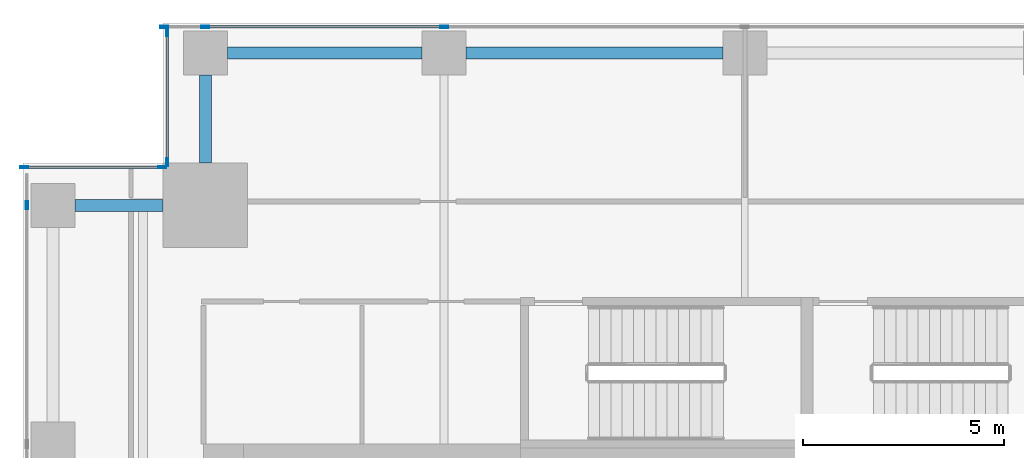
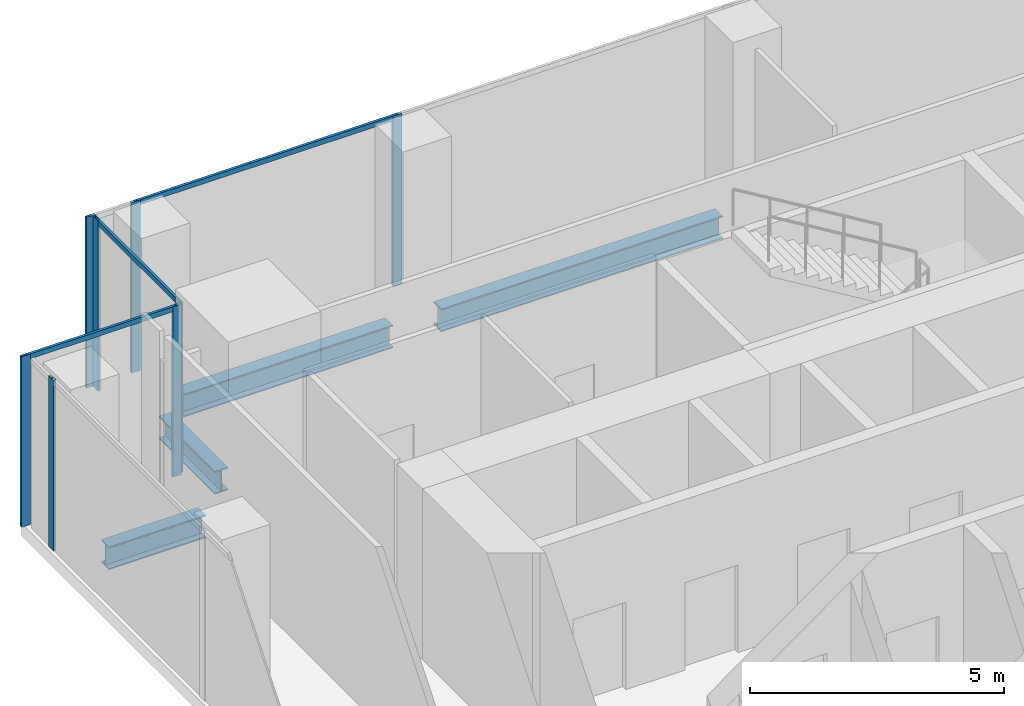
# One storey, part 16 of 35: 11 members, 4 beams, 4 elements without a shape of their own.
"""IFC4 building model written with IfcOpenShell, lengths in metres."""

from ifc_helpers import new_model, si_unit, direction, frame, origin, origin_2d, place, context, subcontext, project, spatial, hollow_rectangle, i_section, extrude, source, transform, mapped, material, material_profile, profile_set, type_object, element, aggregate, save


model = new_model("IFC4")

# Units and contexts
model_context = context("Model", 3, precision=1e-05, world=origin(), true_north=direction((0.0, 1.0)))
body_context = subcontext(model_context, "Body", "Model", "MODEL_VIEW")
ifc_project = project(units=[si_unit("LENGTHUNIT", "METRE"), si_unit("AREAUNIT", "SQUARE_METRE"), si_unit("VOLUMEUNIT", "CUBIC_METRE"), si_unit("PLANEANGLEUNIT", "RADIAN"), si_unit("MASSUNIT", "GRAM", prefix="KILO")], contexts=[model_context])

# Site, building, storey
site_placement = place(None, origin())
site = spatial("IfcSite", under=ifc_project, at=site_placement, CompositionType="ELEMENT")
building_placement = place(site_placement, origin())
building = spatial("IfcBuilding", under=site, at=building_placement, Name="Khomas Fold Tower", CompositionType="ELEMENT")
storey_placement = place(building_placement, frame((0.0, 0.0, 119.10009765625)))
storey = spatial("IfcBuildingStorey", under=building, at=storey_placement, Name="L25", CompositionType="ELEMENT", Elevation=119.10009765625)

# Beams
ifc_material_1 = material(Name="Steel S355", Category="steel")
ifc_material_profile_1 = material_profile(ifc_material_1, i_section(OverallWidth=0.300048828125, OverallDepth=0.550048828125, WebThickness=0.014892578125, FlangeThickness=0.029052734375, at=origin_2d()), Name="HE 550 B")
ifc_profile_set_1 = profile_set([ifc_material_profile_1], Name="Steel S355")
beam_type = type_object("IfcBeamType", Name="HE 550 B spandrel SB2", PredefinedType="SPANDREL", material=ifc_profile_set_1)
shared_shape_1 = source(origin(), body_context, "Body", "SweptSolid", [
    extrude(i_section(OverallWidth=0.300048828125, OverallDepth=0.550048828125, WebThickness=0.014892578125, FlangeThickness=0.029052734375, at=origin_2d()), origin(), (0.0, 0.0, 1.0), 4.849853515625),
])
beam_1_placement = place(storey_placement, frame((6.60009765625, 51.75, -0.5751953125), z_axis=(1.0, 0.0, 0.0), x_axis=(0.0, 1.0, 0.0)))
element("IfcBeam", 1, at=beam_1_placement, inside=storey, type_object=beam_type, Name="SB2", PredefinedType="SPANDREL", context=body_context, shape_type="MappedRepresentation", body=[
    mapped(shared_shape_1, transform((0.0, 0.0, 0.0))),
])
shared_shape_2 = source(origin(), body_context, "Body", "SweptSolid", [
    extrude(i_section(OverallWidth=0.300048828125, OverallDepth=0.550048828125, WebThickness=0.014892578125, FlangeThickness=0.029052734375, at=origin_2d()), origin(), (0.0, 0.0, 1.0), 6.39990234375),
])
beam_2_placement = place(storey_placement, frame((12.550048828125, 51.75, -0.5751953125), z_axis=(1.0, 0.0, 0.0), x_axis=(0.0, 1.0, 0.0)))
element("IfcBeam", 2, at=beam_2_placement, inside=storey, type_object=beam_type, Name="SB2", PredefinedType="SPANDREL", context=body_context, shape_type="MappedRepresentation", body=[
    mapped(shared_shape_2, transform((0.0, 0.0, 0.0))),
])
shared_shape_3 = source(origin(), body_context, "Body", "SweptSolid", [
    extrude(i_section(OverallWidth=0.300048828125, OverallDepth=0.550048828125, WebThickness=0.014892578125, FlangeThickness=0.029052734375, at=origin_2d()), origin(), (0.0, 0.0, 1.0), 2.199951171875),
])
for number, where, z_axis, x_axis, name in (
    (3, (6.050048828125, 49.0, -0.5751953125), (0.0, 1.0, 0.0), (-1.0, 0.0, 0.0), "SB2"),
    (4, (2.800048828125, 47.949951171875, -0.5751953125), (1.0, 0.0, 0.0), (0.0, 1.0, 0.0), "SB2"),
):
    element("IfcBeam", number, at=place(storey_placement, frame(where, z_axis=z_axis, x_axis=x_axis)), inside=storey, type_object=beam_type, Name=name, PredefinedType="SPANDREL", context=body_context, shape_type="MappedRepresentation", body=[
        mapped(shared_shape_3, transform((0.0, 0.0, 0.0))),
    ])

# Curtain wall, member
ifc_material_2 = material(Name="Aluminium framed double glazing", Category="aluminium")
curtain_wall_type = type_object("IfcCurtainWallType", Name="SK-Unitised clear-glass wall, growing floors CW1", PredefinedType="NOTDEFINED", material=ifc_material_2)
curtain_wall_1_placement = place(storey_placement, origin())
curtain_wall_1 = element("IfcCurtainWall", 5, at=curtain_wall_1_placement, inside=storey, type_object=curtain_wall_type, Name="CW1 run L25 06-1", PredefinedType="NOTDEFINED")
ifc_material_3 = material(Name="Aluminium", Category="aluminium")
ifc_material_profile_2 = material_profile(ifc_material_3, hollow_rectangle(XDim=0.06005859375, YDim=0.1201171875, WallThickness=0.00390625, at=origin_2d()), Name="SK-Unitised clear-glass wall, growing floors transom CW1-T")
ifc_profile_set_2 = profile_set([ifc_material_profile_2], Name="Aluminium")
member_type_1 = type_object("IfcMemberType", Name="SK-Unitised clear-glass wall, growing floors transom CW1-T", PredefinedType="USERDEFINED", material=ifc_profile_set_2)
shared_shape_4 = source(origin(), body_context, "Body", "SweptSolid", [
    extrude(hollow_rectangle(XDim=0.06005859375, YDim=0.1201171875, WallThickness=0.00390625, at=origin_2d()), origin(), (0.0, 0.0, 1.0), 5.889892578125),
])
member_1_placement = place(storey_placement, frame((11.969970703125, 52.39990234375, 4.039794921875), z_axis=(-1.0, 0.0, 0.0), x_axis=(0.0, -1.0, 0.0)))
member_1 = element("IfcMember", 6, at=member_1_placement, type_object=member_type_1, Name="CW1 transom 4", ObjectType="TRANSOM", PredefinedType="USERDEFINED", context=body_context, shape_type="MappedRepresentation", body=[
    mapped(shared_shape_4, transform((0.0, 0.0, 0.0))),
])

curtain_wall_2_placement = place(storey_placement, origin())
curtain_wall_2 = element("IfcCurtainWall", 7, at=curtain_wall_2_placement, inside=storey, type_object=curtain_wall_type, Name="CW1 corner return L25 07", PredefinedType="NOTDEFINED")
shared_shape_5 = source(origin(), body_context, "Body", "SweptSolid", [
    extrude(hollow_rectangle(XDim=0.06005859375, YDim=0.1201171875, WallThickness=0.00390625, at=origin_2d()), origin(), (0.0, 0.0, 1.0), 3.179931640625),
])
member_2_placement = place(storey_placement, frame((5.10009765625, 52.239990234375, 4.039794921875), z_axis=(0.0, -1.0, 0.0), x_axis=(1.0, 0.0, 0.0)))
member_2 = element("IfcMember", 8, at=member_2_placement, type_object=member_type_1, Name="CW1 transom 1", ObjectType="TRANSOM", PredefinedType="USERDEFINED", context=body_context, shape_type="MappedRepresentation", body=[
    mapped(shared_shape_5, transform((0.0, 0.0, 0.0))),
])

curtain_wall_3_placement = place(storey_placement, origin())
curtain_wall_3 = element("IfcCurtainWall", 9, at=curtain_wall_3_placement, inside=storey, type_object=curtain_wall_type, Name="CW1 corner return L25 08", PredefinedType="NOTDEFINED")
shared_shape_6 = source(origin(), body_context, "Body", "SweptSolid", [
    extrude(hollow_rectangle(XDim=0.06005859375, YDim=0.1201171875, WallThickness=0.00390625, at=origin_2d()), origin(), (0.0, 0.0, 1.0), 3.3798828125),
])
member_3_placement = place(storey_placement, frame((4.93994140625, 48.89990234375, 4.039794921875), z_axis=(-1.0, 0.0, 0.0), x_axis=(0.0, -1.0, 0.0)))
member_3 = element("IfcMember", 10, at=member_3_placement, type_object=member_type_1, Name="CW1 transom 1", ObjectType="TRANSOM", PredefinedType="USERDEFINED", context=body_context, shape_type="MappedRepresentation", body=[
    mapped(shared_shape_6, transform((0.0, 0.0, 0.0))),
])

# Member
ifc_material_4 = material(Name="Aluminium", Category="aluminium")
ifc_material_profile_3 = material_profile(ifc_material_4, hollow_rectangle(XDim=0.06005859375, YDim=0.199951171875, WallThickness=0.00390625, at=origin_2d()), Name="SK-Unitised clear-glass wall, growing floors mullion CW1-M")
ifc_profile_set_3 = profile_set([ifc_material_profile_3], Name="Aluminium")
member_type_2 = type_object("IfcMemberType", Name="SK-Unitised clear-glass wall, growing floors mullion CW1-M", PredefinedType="MULLION", material=ifc_profile_set_3)
shared_shape_7 = source(origin(), body_context, "Body", "SweptSolid", [
    extrude(hollow_rectangle(XDim=0.06005859375, YDim=0.199951171875, WallThickness=0.00390625, at=origin_2d()), origin(), (0.0, 0.0, 1.0), 4.099853515625),
])
member_4_placement = place(storey_placement, frame((12.0, 52.39990234375, 0.0), z_axis=(0.0, 0.0, 1.0), x_axis=(0.0, -1.0, 0.0)))
member_4 = element("IfcMember", 11, at=member_4_placement, type_object=member_type_2, Name="CW1 mullion 4", PredefinedType="MULLION", context=body_context, shape_type="MappedRepresentation", body=[
    mapped(shared_shape_7, transform((0.0, 0.0, 0.0))),
])

member_5_placement = place(storey_placement, frame((6.050048828125, 52.39990234375, 0.0), z_axis=(0.0, 0.0, 1.0), x_axis=(0.0, -1.0, 0.0)))
member_5 = element("IfcMember", 12, at=member_5_placement, type_object=member_type_2, Name="CW1 mullion 5", PredefinedType="MULLION", context=body_context, shape_type="MappedRepresentation", body=[
    mapped(shared_shape_7, transform((0.0, 0.0, 0.0))),
])

member_6_placement = place(storey_placement, frame((5.030029296875, 52.39990234375, 0.0), z_axis=(0.0, 0.0, 1.0), x_axis=(0.0, -1.0, 0.0)))
member_6 = element("IfcMember", 13, at=member_6_placement, type_object=member_type_2, Name="CW1 mullion 6", PredefinedType="MULLION", context=body_context, shape_type="MappedRepresentation", body=[
    mapped(shared_shape_7, transform((0.0, 0.0, 0.0))),
])

aggregate(curtain_wall_1, [member_4, member_5, member_6, member_1])

member_7_placement = place(storey_placement, frame((5.10009765625, 52.27001953125, 0.0), z_axis=(0.0, 0.0, 1.0), x_axis=(1.0, 0.0, 0.0)))
member_7 = element("IfcMember", 14, at=member_7_placement, type_object=member_type_2, Name="CW1 mullion 1", PredefinedType="MULLION", context=body_context, shape_type="MappedRepresentation", body=[
    mapped(shared_shape_7, transform((0.0, 0.0, 0.0))),
])

member_8_placement = place(storey_placement, frame((5.10009765625, 49.030029296875, 0.0), z_axis=(0.0, 0.0, 1.0), x_axis=(1.0, 0.0, 0.0)))
member_8 = element("IfcMember", 15, at=member_8_placement, type_object=member_type_2, Name="CW1 mullion 2", PredefinedType="MULLION", context=body_context, shape_type="MappedRepresentation", body=[
    mapped(shared_shape_7, transform((0.0, 0.0, 0.0))),
])

aggregate(curtain_wall_2, [member_7, member_8, member_2])

member_9_placement = place(storey_placement, frame((4.969970703125, 48.89990234375, 0.0), z_axis=(0.0, 0.0, 1.0), x_axis=(0.0, -1.0, 0.0)))
member_9 = element("IfcMember", 16, at=member_9_placement, type_object=member_type_2, Name="CW1 mullion 1", PredefinedType="MULLION", context=body_context, shape_type="MappedRepresentation", body=[
    mapped(shared_shape_7, transform((0.0, 0.0, 0.0))),
])

member_10_placement = place(storey_placement, frame((1.530029296875, 48.89990234375, 0.0), z_axis=(0.0, 0.0, 1.0), x_axis=(0.0, -1.0, 0.0)))
member_10 = element("IfcMember", 17, at=member_10_placement, type_object=member_type_2, Name="CW1 mullion 2", PredefinedType="MULLION", context=body_context, shape_type="MappedRepresentation", body=[
    mapped(shared_shape_7, transform((0.0, 0.0, 0.0))),
])

aggregate(curtain_wall_3, [member_9, member_10, member_3])

# Curtain wall, member
curtain_wall_4_placement = place(storey_placement, origin())
curtain_wall_4 = element("IfcCurtainWall", 18, at=curtain_wall_4_placement, inside=storey, type_object=curtain_wall_type, Name="CW1 run L25 09-0", PredefinedType="NOTDEFINED")
member_11_placement = place(storey_placement, frame((1.60009765625, 47.949951171875, 0.0), z_axis=(0.0, 0.0, 1.0), x_axis=(1.0, 0.0, 0.0)))
member_11 = element("IfcMember", 19, at=member_11_placement, type_object=member_type_2, Name="CW1 mullion 2", PredefinedType="MULLION", context=body_context, shape_type="MappedRepresentation", body=[
    mapped(shared_shape_7, transform((0.0, 0.0, 0.0))),
])
aggregate(curtain_wall_4, [member_11])

save(model, "model.ifc")
